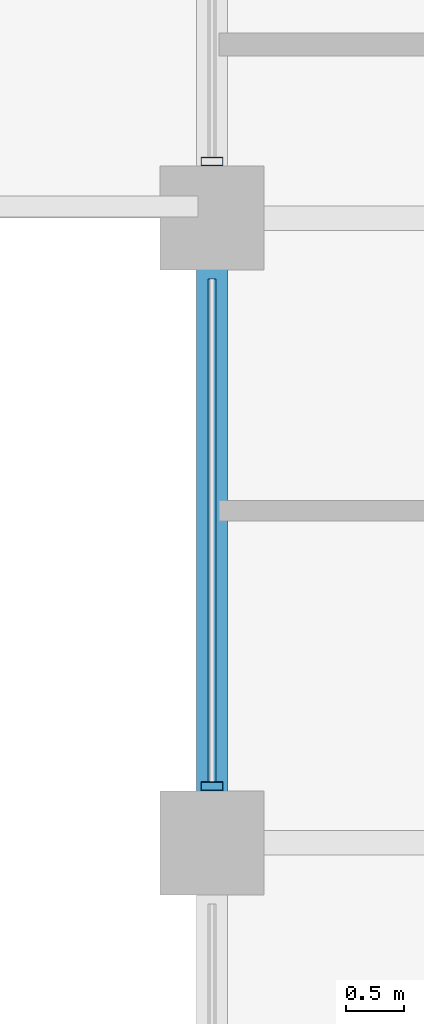
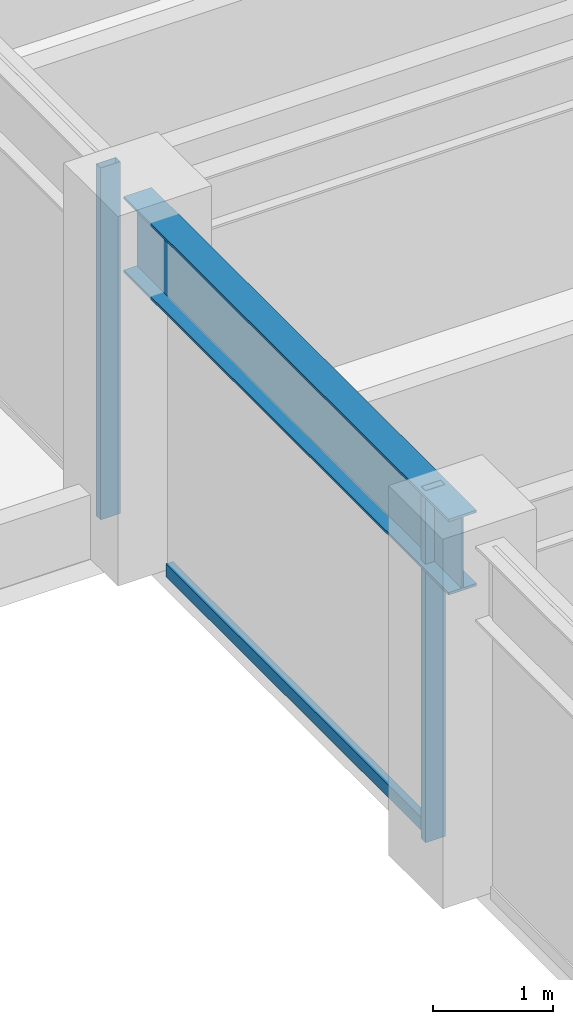
# One storey, part 5 of 28: 3 members, 1 beam, 1 element without a shape of its own.
"""IFC4 building model written with IfcOpenShell, lengths in metres."""

import ifcopenshell
import ifcopenshell.guid

model = None  # the IFC model being written
_history = None  # IfcOwnerHistory: only IFC2X3 demands one
_inside = {}  # id of a spatial element -> (the spatial element, [elements in it])
_under = {}  # id of a project, library or spatial element -> (it, [spatial elements below it])
_declared = {}  # id of a project -> (the project, [libraries it declares])
_typed = {}  # id of a type object -> (the type object, [elements of that type])
_made_of = {}  # id of a material, layer set ... -> (it, [elements and type objects made of it])


def new_model(schema):
    """Start an empty IFC model of exactly this schema.

    Asked for "IFC4X3", IfcOpenShell would pick the latest addendum, in which some entities
    have other attributes; the version numbers below select the first issue.
    IFC2X3 requires an IfcOwnerHistory on every rooted entity: one is made here for all.
    """
    global model, _history
    if schema == "IFC4X3":
        model = ifcopenshell.file(schema_version=(4, 3, 0, 0))
    else:
        model = ifcopenshell.file(schema=schema)
    _inside.clear()
    _under.clear()
    _declared.clear()
    _typed.clear()
    _made_of.clear()
    _history = None
    if model.schema == "IFC2X3":
        org = make("IfcOrganization", Name="unknown")
        user = make(
            "IfcPersonAndOrganization",
            ThePerson=make("IfcPerson", FamilyName="unknown"),
            TheOrganization=org,
        )
        app = make(
            "IfcApplication",
            ApplicationDeveloper=org,
            Version="unknown",
            ApplicationFullName="unknown",
            ApplicationIdentifier="unknown",
        )
        _history = make(
            "IfcOwnerHistory",
            OwningUser=user,
            OwningApplication=app,
            ChangeAction="ADDED",
            CreationDate=0,
        )
    return model


def make(cls, **values):
    """One entity of the class cls with the attributes given. An attribute that is None is left unset."""
    return model.create_entity(
        cls, **{name: value for name, value in values.items() if value is not None}
    )


def rooted(cls, **values):
    """An entity with a GlobalId (a new one), such as an element, a storey or a relation."""
    return make(cls, GlobalId=ifcopenshell.guid.new(), OwnerHistory=_history, **values)


def si_unit(unit_type, name, prefix=None):
    """IfcSIUnit, for example si_unit("LENGTHUNIT", "METRE", prefix="MILLI")."""
    return make("IfcSIUnit", UnitType=unit_type, Prefix=prefix, Name=name)


def assignment(units):
    """IfcUnitAssignment: the units of a project."""
    return None if units is None else make("IfcUnitAssignment", Units=units)


def point(xyz):
    """IfcCartesianPoint."""
    return None if xyz is None else make("IfcCartesianPoint", Coordinates=xyz)


def direction(xyz):
    """IfcDirection."""
    return None if xyz is None else make("IfcDirection", DirectionRatios=xyz)


def frame(location, z_axis=None, x_axis=None):
    """IfcAxis2Placement3D, a coordinate frame: its origin and axes. An axis left out is left unset."""
    return make(
        "IfcAxis2Placement3D",
        Location=point(location),
        Axis=direction(z_axis),
        RefDirection=direction(x_axis),
    )


def frame_2d(location, x_axis=None):
    """IfcAxis2Placement2D, a coordinate frame in the plane: its origin and x axis."""
    return make(
        "IfcAxis2Placement2D", Location=point(location), RefDirection=direction(x_axis)
    )


def origin():
    """The frame at (0, 0, 0) with its axes left unset."""
    return frame((0.0, 0.0, 0.0))


def origin_2d():
    """The frame at (0, 0) in the plane with its x axis left unset."""
    return frame_2d((0.0, 0.0))


def place(relative_to, where):
    """IfcLocalPlacement: puts the frame where relative to a parent placement (None: the world)."""
    return make(
        "IfcLocalPlacement", PlacementRelTo=relative_to, RelativePlacement=where
    )


def context(
    kind, dimensions, precision=None, world=None, true_north=None, identifier=None
):
    """IfcGeometricRepresentationContext, for example the 3D "Model" context."""
    return make(
        "IfcGeometricRepresentationContext",
        ContextIdentifier=identifier,
        ContextType=kind,
        CoordinateSpaceDimension=dimensions,
        Precision=precision,
        WorldCoordinateSystem=world,
        TrueNorth=true_north,
    )


def subcontext(parent, identifier, kind, view, scale=None):
    """IfcGeometricRepresentationSubContext, for example "Body" below "Model"."""
    return make(
        "IfcGeometricRepresentationSubContext",
        ContextIdentifier=identifier,
        ContextType=kind,
        ParentContext=parent,
        TargetScale=scale,
        TargetView=view,
    )


def project(units=None, contexts=None):
    """IfcProject with its units and contexts."""
    return rooted(
        "IfcProject",
        Name="project",
        RepresentationContexts=contexts,
        UnitsInContext=assignment(units),
    )


def spatial(cls, under=None, at=None, **own):
    """A site, building, storey or space (cls), placed at a placement, below another one or the project."""
    s = rooted(cls, ObjectPlacement=at, **own)
    if under is not None:
        _under.setdefault(under.id(), (under, []))[1].append(s)
    return s


def profile(cls, at=None, kind="AREA", **sizes):
    """A parametric profile (cls). Its sizes go by their IFC names, for example OverallWidth=200.0."""
    return make(cls, ProfileType=kind, Position=at, **sizes)


def hollow_rectangle(**sizes):
    """IfcRectangleHollowProfileDef."""
    return profile("IfcRectangleHollowProfileDef", **sizes)


def i_section(**sizes):
    """IfcIShapeProfileDef."""
    return profile("IfcIShapeProfileDef", **sizes)


def extrude(swept, where, along, depth):
    """IfcExtrudedAreaSolid: the profile swept, set in the frame where, extruded along a direction by depth."""
    return make(
        "IfcExtrudedAreaSolid",
        SweptArea=swept,
        Position=where,
        ExtrudedDirection=direction(along),
        Depth=depth,
    )


def shape(context_of_items, identifier, shape_type, items):
    """IfcShapeRepresentation: the items that make up one representation, for example the "Body"."""
    return make(
        "IfcShapeRepresentation",
        ContextOfItems=context_of_items,
        RepresentationIdentifier=identifier,
        RepresentationType=shape_type,
        Items=items,
    )


def material(Name=None, Category=None):
    """IfcMaterial."""
    return make("IfcMaterial", Name=Name, Category=Category)


def layer(
    of_material, thickness, ventilated=None, Name=None, Category=None, Priority=None
):
    """IfcMaterialLayer: one layer of a wall or slab, of a material (None: an air gap)."""
    return make(
        "IfcMaterialLayer",
        Material=of_material,
        LayerThickness=thickness,
        IsVentilated=ventilated,
        Name=Name,
        Category=Category,
        Priority=Priority,
    )


def layer_set(layers, Name=None):
    """IfcMaterialLayerSet."""
    return make("IfcMaterialLayerSet", MaterialLayers=layers, LayerSetName=Name)


def material_profile(
    of_material, cross_section, Name=None, Category=None, Priority=None
):
    """IfcMaterialProfile: a cross section and its material."""
    return make(
        "IfcMaterialProfile",
        Name=Name,
        Material=of_material,
        Profile=cross_section,
        Priority=Priority,
        Category=Category,
    )


def profile_set(profiles, Name=None, composite=None):
    """IfcMaterialProfileSet."""
    return make(
        "IfcMaterialProfileSet",
        Name=Name,
        MaterialProfiles=profiles,
        CompositeProfile=composite,
    )


def made_of(thing, what):
    """Note that an element or type object is made of a material, layer set ...; save() writes the relation."""
    if what is not None:
        _made_of.setdefault(what.id(), (what, []))[1].append(thing)
    return thing


def type_object(cls, material=None, **own):
    """A type object (cls), such as IfcWallType, which elements share."""
    return made_of(rooted(cls, **own), material)


def element(
    cls,
    number,
    at=None,
    inside=None,
    cuts=None,
    type_object=None,
    material=None,
    context=None,
    identifier="Body",
    shape_type=None,
    held_by="IfcProductDefinitionShape",
    body=None,
    shapes=None,
    **own,
):
    """One element of the class cls, such as IfcWall. Its Tag is "e" and its number.

    at: its placement. inside: the storey or other place that contains it. cuts: it is an
    opening in that element (IfcRelVoidsElement). A single representation is given by context,
    identifier, shape_type and body (its items); several are given by shapes. held_by: the class
    of the entity that holds the representations. save() writes the other relations.
    """
    e = rooted(cls, Tag="e%d" % number, ObjectPlacement=at, **own)
    if body is not None:
        shapes = [shape(context, identifier, shape_type, body)]
    if shapes is not None:
        e.Representation = make(held_by, Representations=shapes)
    if inside is not None:
        _inside.setdefault(inside.id(), (inside, []))[1].append(e)
    if cuts is not None:
        rooted(
            "IfcRelVoidsElement", RelatingBuildingElement=cuts, RelatedOpeningElement=e
        )
    if type_object is not None:
        _typed.setdefault(type_object.id(), (type_object, []))[1].append(e)
    return made_of(e, material)


def aggregate(whole, parts):
    """IfcRelAggregates: a whole, such as a stair, and the parts it consists of."""
    return rooted("IfcRelAggregates", RelatingObject=whole, RelatedObjects=parts)


def save(model, path):
    """Write the relations noted so far, then the file.

    IfcRelAggregates (storeys below a building ...), IfcRelContainedInSpatialStructure (elements
    in a storey), IfcRelDefinesByType, IfcRelAssociatesMaterial and IfcRelDeclares: one each for
    every whole, place, type object, material and project.
    """
    for whole, parts in _under.values():
        aggregate(whole, parts)
    for where, things in _inside.values():
        rooted(
            "IfcRelContainedInSpatialStructure",
            RelatedElements=things,
            RelatingStructure=where,
        )
    for kind, things in _typed.values():
        rooted("IfcRelDefinesByType", RelatedObjects=things, RelatingType=kind)
    for what, things in _made_of.values():
        rooted("IfcRelAssociatesMaterial", RelatedObjects=things, RelatingMaterial=what)
    for by, libraries in _declared.values():
        rooted("IfcRelDeclares", RelatingContext=by, RelatedDefinitions=libraries)
    model.write(path)


model = new_model("IFC4")

# Units and contexts
model_context = context("Model", 3, precision=1e-05, world=origin(), true_north=direction((0.0, 1.0)))
body_context = subcontext(model_context, "Body", "Model", "MODEL_VIEW")
ifc_project = project(units=[si_unit("LENGTHUNIT", "METRE"), si_unit("AREAUNIT", "SQUARE_METRE"), si_unit("VOLUMEUNIT", "CUBIC_METRE"), si_unit("PLANEANGLEUNIT", "RADIAN"), si_unit("MASSUNIT", "GRAM", prefix="KILO")], contexts=[model_context])

# Site, building, storey
site_placement = place(None, origin())
site = spatial("IfcSite", under=ifc_project, at=site_placement, CompositionType="ELEMENT")
building_placement = place(site_placement, origin())
building = spatial("IfcBuilding", under=site, at=building_placement, Name="Surkhivell Harbour Commons", CompositionType="ELEMENT")
storey_placement = place(building_placement, frame((0.0, 0.0, 182.25)))
storey = spatial("IfcBuildingStorey", under=building, at=storey_placement, Name="L47", CompositionType="ELEMENT", Elevation=182.25)

# Beam
ifc_material_1 = material(Name="Steel S355", Category="steel")
ifc_material_profile_1 = material_profile(ifc_material_1, i_section(OverallWidth=0.26806640625, OverallDepth=0.77001953125, WebThickness=0.015625, FlangeThickness=0.025390625, at=origin_2d()), Name="UB762x267x197")
ifc_profile_set_1 = profile_set([ifc_material_profile_1], Name="Steel S355")
beam_type = type_object("IfcBeamType", Name="BM-SPN-762", PredefinedType="SPANDREL", material=ifc_profile_set_1)
beam_placement = place(storey_placement, frame((-27.0, -5.39990234375, 3.18505859375), z_axis=(0.0, 1.0, 0.0), x_axis=(-1.0, 0.0, 0.0)))
element("IfcBeam", 1, at=beam_placement, inside=storey, type_object=beam_type, Name="L47 Tube Spandrel (-27.0,-5.4)", PredefinedType="SPANDREL", context=body_context, shape_type="SweptSolid", body=[
    extrude(i_section(OverallWidth=0.26806640625, OverallDepth=0.77001953125, WebThickness=0.015625, FlangeThickness=0.025390625, at=origin_2d()), origin(), (0.0, 0.0, 1.0), 5.39990234375),
])

# Curtain wall, members
ifc_material_2 = material(Name="Anodised pale-metal aluminium and insulated glazing", Category="aluminium")
ifc_layer = layer(ifc_material_2, 0.18994140625)
ifc_layer_set = layer_set([ifc_layer], Name="Anodised pale-metal aluminium and insulated glazing")
curtain_wall_type = type_object("IfcCurtainWallType", Name="CW-SYS-Z3", PredefinedType="NOTDEFINED", material=ifc_layer_set)
curtain_wall_placement = place(storey_placement, origin())
curtain_wall = element("IfcCurtainWall", 2, at=curtain_wall_placement, inside=storey, type_object=curtain_wall_type, Name="L47 Curtain Wall CW-L47-E12R1S1", PredefinedType="NOTDEFINED")
ifc_material_3 = material(Name="Anodised pale-metal aluminium alloy 6063-T6", Category="aluminium")
ifc_material_profile_2 = material_profile(ifc_material_3, hollow_rectangle(XDim=0.074951171875, YDim=0.18994140625, WallThickness=0.00390625, at=origin_2d()), Name="ALU-MULL-75x190")
ifc_profile_set_2 = profile_set([ifc_material_profile_2], Name="Anodised pale-metal aluminium alloy 6063-T6")
member_type_1 = type_object("IfcMemberType", Name="CWM-190", PredefinedType="MULLION", material=ifc_profile_set_2)
member_1_placement = place(storey_placement, frame((-27.0, -4.910400390625, 0.0), z_axis=(0.0, 0.0, 1.0), x_axis=(0.0, 1.0, 0.0)))
member_1 = element("IfcMember", 3, at=member_1_placement, type_object=member_type_1, Name="CW-Z3 mullion 2", PredefinedType="MULLION", context=body_context, shape_type="SweptSolid", body=[
    extrude(hollow_rectangle(XDim=0.074951171875, YDim=0.18994140625, WallThickness=0.00390625, at=origin_2d()), origin(), (0.0, 0.0, 1.0), 3.570068359375),
])
member_2_placement = place(storey_placement, frame((-27.0, 0.489501953125, 0.0), z_axis=(0.0, 0.0, 1.0), x_axis=(0.0, 1.0, 0.0)))
member_2 = element("IfcMember", 4, at=member_2_placement, type_object=member_type_1, Name="CW-Z3 mullion 3", PredefinedType="MULLION", context=body_context, shape_type="SweptSolid", body=[
    extrude(hollow_rectangle(XDim=0.074951171875, YDim=0.18994140625, WallThickness=0.00390625, at=origin_2d()), origin(), (0.0, 0.0, 1.0), 3.570068359375),
])
ifc_material_4 = material(Name="Champagne anodised aluminium alloy 6063-T6", Category="aluminium")
ifc_material_profile_3 = material_profile(ifc_material_4, hollow_rectangle(XDim=0.070068359375, YDim=0.1298828125, WallThickness=0.00341796875, at=origin_2d()), Name="ALU-TRAN-70x130")
ifc_profile_set_3 = profile_set([ifc_material_profile_3], Name="Champagne anodised aluminium alloy 6063-T6")
member_type_2 = type_object("IfcMemberType", Name="CWT-130", PredefinedType="USERDEFINED", material=ifc_profile_set_3)
member_3_placement = place(storey_placement, frame((-27.0, -4.873046875, 0.06494140625), z_axis=(0.0, 1.0, 0.0), x_axis=(-1.0, 0.0, 0.0)))
member_3 = element("IfcMember", 5, at=member_3_placement, type_object=member_type_2, Name="CW-Z3 transom 2.1", ObjectType="TRANSOM", PredefinedType="USERDEFINED", context=body_context, shape_type="SweptSolid", body=[
    extrude(hollow_rectangle(XDim=0.070068359375, YDim=0.1298828125, WallThickness=0.00341796875, at=origin_2d()), origin(), (0.0, 0.0, 1.0), 4.345947265625),
])
aggregate(curtain_wall, [member_1, member_3, member_2])

save(model, "model.ifc")
